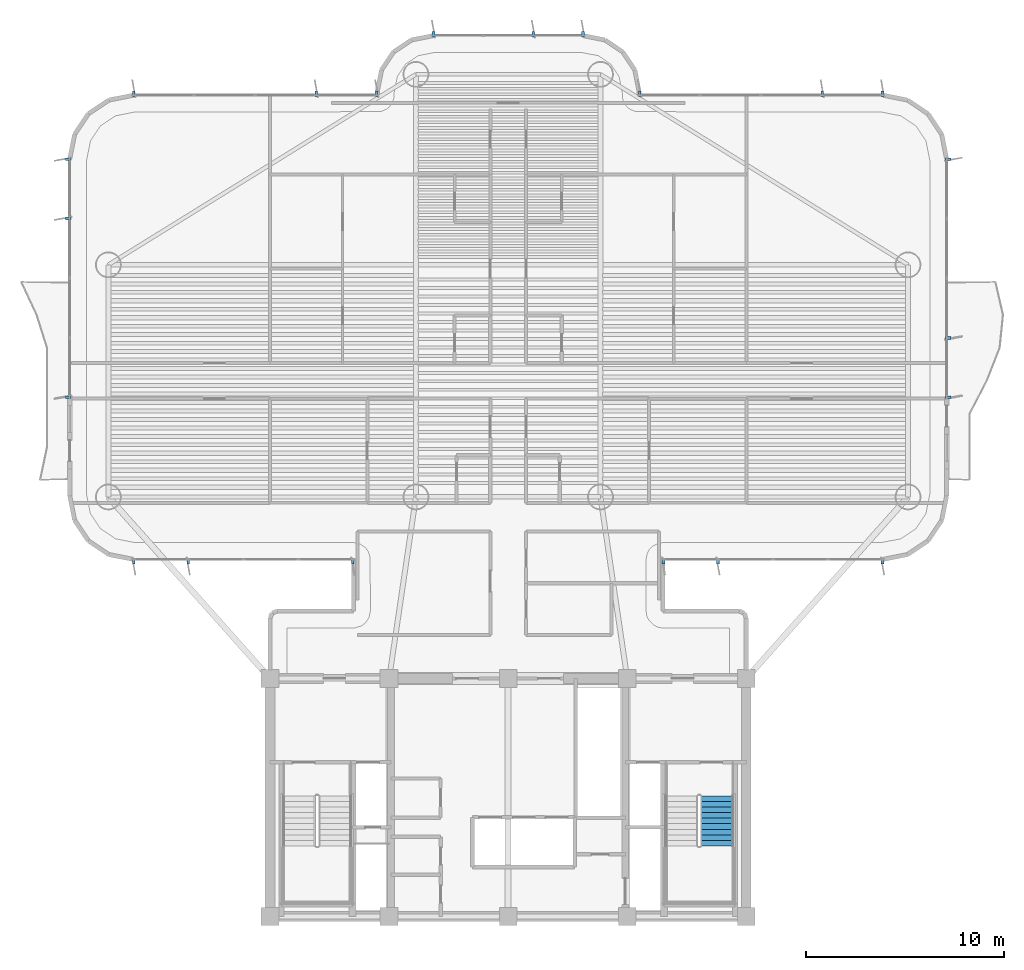
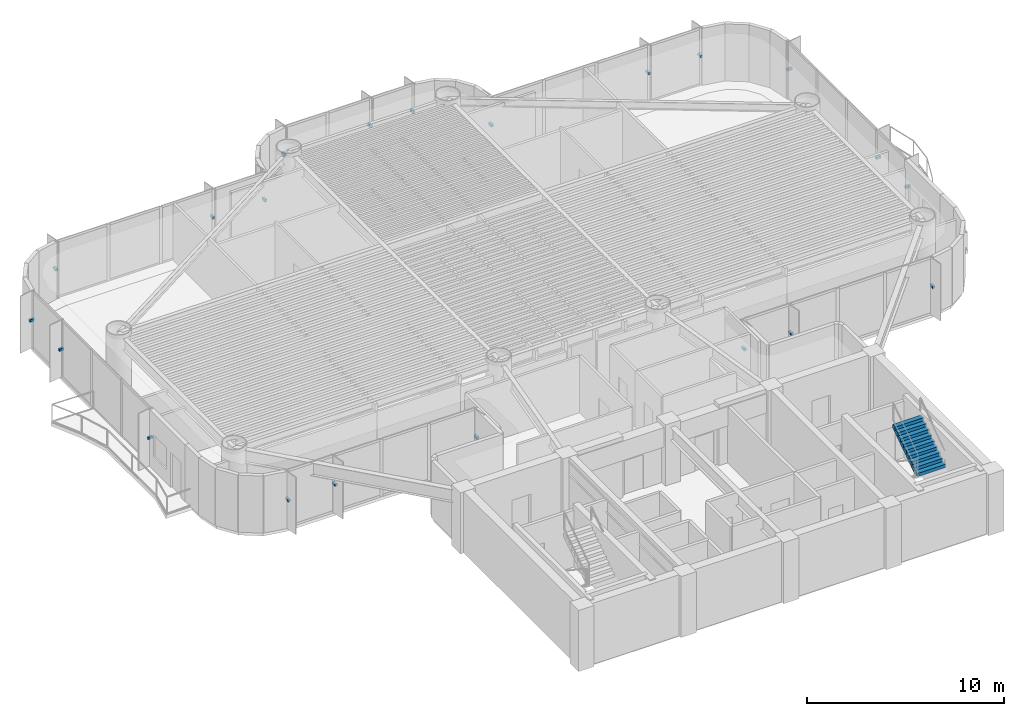
# One storey, part 13 of 17: 21 discrete accessories, 1 stair flight, 1 element without a shape of its own.
"""IFC4 building model written with IfcOpenShell, lengths in metres."""

from ifc_helpers import new_model, si_unit, direction, frame, origin, origin_2d, place, context, subcontext, project, spatial, polyline, rectangle, outline, extrude, source, transform, mapped, material, type_object, element, aggregate, save


model = new_model("IFC4")

# Units and contexts
model_context = context("Model", 3, precision=1e-05, world=origin(), true_north=direction((0.0, 1.0)))
body_context = subcontext(model_context, "Body", "Model", "MODEL_VIEW")
ifc_project = project(units=[si_unit("LENGTHUNIT", "METRE"), si_unit("AREAUNIT", "SQUARE_METRE"), si_unit("VOLUMEUNIT", "CUBIC_METRE"), si_unit("PLANEANGLEUNIT", "RADIAN"), si_unit("MASSUNIT", "GRAM", prefix="KILO")], contexts=[model_context])

# Site, building, storey
site_placement = place(None, origin())
site = spatial("IfcSite", under=ifc_project, at=site_placement, CompositionType="ELEMENT")
building_placement = place(site_placement, origin())
building = spatial("IfcBuilding", under=site, at=building_placement, Name="Brelvock Crest Care Tower", CompositionType="ELEMENT")
storey_placement = place(building_placement, frame((0.0, 0.0, 97.3798828125)))
storey = spatial("IfcBuildingStorey", under=building, at=storey_placement, Name="L24", CompositionType="ELEMENT", Elevation=97.3798828125)

# Stair, stair flight
ifc_material_1 = material(Name="Concrete N40 (40 MPa)", Category="concrete")
stair_type = type_object("IfcStairType", Name="ST-CORE1", PredefinedType="HALF_TURN_STAIR", material=ifc_material_1)
stair_placement = place(storey_placement, origin())
stair = element("IfcStair", 1, at=stair_placement, inside=storey, type_object=stair_type, Name="L24 Fire-Isolated Core Stair ST-2", PredefinedType="HALF_TURN_STAIR")
stair_flight_type = type_object("IfcStairFlightType", Name="STF-1", PredefinedType="STRAIGHT", material=ifc_material_1)
stair_flight_placement = place(storey_placement, frame((46.530029296875, 9.56005859375, 1.89013671875), z_axis=(0.0, 0.0, 1.0), x_axis=(0.0, 1.0, 0.0)))
stair_flight = element("IfcStairFlight", 2, at=stair_flight_placement, type_object=stair_flight_type, Name="ST-2 flight 2", NumberOfRisers=10, NumberOfTreads=9, PredefinedType="STRAIGHT", RiserHeight=0.189, TreadLength=0.28, context=body_context, shape_type="SweptSolid", body=[
    extrude(outline(polyline([(-0.00390625, -0.014892578125), (-0.00390625, -0.0078125), (-0.00390625, -0.00048828125), (-0.00390625, 0.0068359375), (-0.00390625, 0.01416015625), (-0.00390625, 0.021484375), (-0.00390625, 0.02880859375), (-0.00390625, 0.035888671875), (-0.00390625, 0.043212890625), (-0.00390625, 0.050537109375), (-0.00390625, 0.057861328125), (-0.00390625, 0.065185546875), (-0.00390625, 0.072509765625), (-0.00390625, 0.07958984375), (-0.00390625, 0.0869140625), (-0.00390625, 0.09423828125), (-0.00390625, 0.1015625), (-0.00390625, 0.10888671875), (-0.00390625, 0.1162109375), (-0.00390625, 0.12353515625), (-0.00390625, 0.130615234375), (-0.00390625, 0.137939453125), (-0.00390625, 0.145263671875), (-0.00390625, 0.152587890625), (-0.00390625, 0.159912109375), (-0.00390625, 0.167236328125), (-0.00390625, 0.17431640625), (-0.00390625, 0.181640625), (-0.00390625, 0.18896484375), (0.0, 0.18896484375), (0.280029296875, 0.18896484375), (0.280029296875, 0.3779296875), (0.56005859375, 0.3779296875), (0.56005859375, 0.56689453125), (0.840087890625, 0.56689453125), (0.840087890625, 0.756103515625), (1.1201171875, 0.756103515625), (1.1201171875, 0.945068359375), (1.39990234375, 0.945068359375), (1.39990234375, 1.134033203125), (1.679931640625, 1.134033203125), (1.679931640625, 1.322998046875), (1.9599609375, 1.322998046875), (1.9599609375, 1.511962890625), (2.239990234375, 1.511962890625), (2.239990234375, 1.700927734375), (2.52001953125, 1.700927734375), (2.52392578125, 1.700927734375), (2.523681640625, 1.70068359375), (2.52392578125, 1.700439453125), (2.523681640625, 1.699951171875), (2.52392578125, 1.69970703125), (2.523681640625, 1.699462890625), (2.52392578125, 1.698974609375), (2.523681640625, 1.69873046875), (2.52392578125, 1.698486328125), (2.523681640625, 1.697998046875), (2.52392578125, 1.69775390625), (2.523681640625, 1.697509765625), (2.52392578125, 1.697021484375), (2.523681640625, 1.69677734375), (2.52392578125, 1.696533203125), (2.523681640625, 1.6962890625), (2.52392578125, 1.69580078125), (2.523681640625, 1.695556640625), (2.52392578125, 1.6953125), (2.523681640625, 1.69482421875), (2.52392578125, 1.694580078125), (2.523681640625, 1.6943359375), (2.52392578125, 1.69384765625), (2.523681640625, 1.693603515625), (2.52392578125, 1.693359375), (2.523681640625, 1.69287109375), (2.52392578125, 1.692626953125), (2.523681640625, 1.6923828125), (2.52392578125, 1.69189453125), (2.52001953125, 1.520263671875), (0.267822265625, 0.0), (0.0, 0.0), (0.0, -0.014892578125), (-0.00390625, -0.014892578125)])), frame((0.0, 0.83984375, 0.0), z_axis=(0.0, -1.0, 0.0), x_axis=(1.0, 0.0, 0.0)), (0.0, 0.0, 1.0), 1.679931640625),
])
aggregate(stair, [stair_flight])

# Discrete accessories
ifc_material_2 = material(Name="Steel Grade 350", Category="steel")
discrete_accessory_type = type_object("IfcDiscreteAccessoryType", Name="ACC-BRK1", PredefinedType="BRACKET", material=ifc_material_2)
shared_shape = source(origin(), body_context, "Body", "SweptSolid", [
    extrude(rectangle(XDim=0.280029296875, YDim=0.139892578125, at=origin_2d()), origin(), (0.0, 0.0, 1.0), 0.139892578125),
])
for number, where, z_axis, x_axis, name in (
    (3, (28.169921875, 23.919921875, 1.6953125), (0.0, 0.0, 1.0), (0.0, -1.0, 0.0), "L24 Facade Fin Bracket E12-01"),
    (4, (19.875, 23.919921875, 1.6953125), (0.0, 0.0, 1.0), (0.0, -1.0, 0.0), "L24 Facade Fin Bracket E12-04"),
    (5, (17.1298828125, 23.919921875, 1.6953125), (0.0, 0.0, 1.0), (0.0, -1.0, 0.0), "L24 Facade Fin Bracket E12-05"),
    (6, (13.820068359375, 32.179931640625, 1.6953125), (0.0, 0.0, 1.0), (-1.0, 0.0, 0.0), "L24 Facade Fin Bracket E17B-01"),
    (7, (13.820068359375, 41.1875, 1.6953125), (0.0, 0.0, 1.0), (-1.0, 0.0, 0.0), "L24 Facade Fin Bracket E17B-04"),
    (8, (13.820068359375, 44.169921875, 1.6953125), (0.0, 0.0, 1.0), (-1.0, 0.0, 0.0), "L24 Facade Fin Bracket E17B-05"),
    (9, (17.1298828125, 47.47998046875, 1.6953125), (0.0, 0.0, 1.0), (0.0, 1.0, 0.0), "L24 Facade Fin Bracket E22-01"),
    (10, (26.324951171875, 47.47998046875, 1.6953125), (0.0, 0.0, 1.0), (0.0, 1.0, 0.0), "L24 Facade Fin Bracket E22-04"),
    (11, (29.3701171875, 47.47998046875, 1.6953125), (0.0, 0.0, 1.0), (0.0, 1.0, 0.0), "L24 Facade Fin Bracket E22-05"),
    (12, (32.22998046875, 50.47998046875, 1.6953125), (0.0, 0.0, 1.0), (0.0, 1.0, 0.0), "L24 Facade Fin Bracket E28-01"),
    (13, (37.2666015625, 50.47998046875, 1.6953125), (0.0, 0.0, 1.0), (0.0, 1.0, 0.0), "L24 Facade Fin Bracket E28-03"),
    (14, (39.77001953125, 50.47998046875, 1.6953125), (0.0, 0.0, 1.0), (0.0, 1.0, 0.0), "L24 Facade Fin Bracket E28-04"),
    (15, (42.6298828125, 47.47998046875, 1.6953125), (0.0, 0.0, 1.0), (0.0, 1.0, 0.0), "L24 Facade Fin Bracket E34-01"),
    (16, (51.824951171875, 47.47998046875, 1.6953125), (0.0, 0.0, 1.0), (0.0, 1.0, 0.0), "L24 Facade Fin Bracket E34-04"),
    (17, (54.8701171875, 47.47998046875, 1.6953125), (0.0, 0.0, 1.0), (0.0, 1.0, 0.0), "L24 Facade Fin Bracket E34-05"),
    (18, (58.179931640625, 44.169921875, 1.6953125), (0.0, 0.0, 1.0), (1.0, 0.0, 0.0), "L24 Facade Fin Bracket E39A-01"),
    (19, (58.179931640625, 35.16259765625, 1.6953125), (0.0, 0.0, 1.0), (1.0, 0.0, 0.0), "L24 Facade Fin Bracket E39A-04"),
    (20, (58.179931640625, 32.179931640625, 1.6953125), (0.0, 0.0, 1.0), (1.0, 0.0, 0.0), "L24 Facade Fin Bracket E39A-05"),
    (21, (54.8701171875, 23.919921875, 1.6953125), (0.0, 0.0, 1.0), (0.0, -1.0, 0.0), "L24 Facade Fin Bracket E44-01"),
    (22, (46.574951171875, 23.919921875, 1.6953125), (0.0, 0.0, 1.0), (0.0, -1.0, 0.0), "L24 Facade Fin Bracket E44-04"),
    (23, (43.830078125, 23.919921875, 1.6953125), (0.0, 0.0, 1.0), (0.0, -1.0, 0.0), "L24 Facade Fin Bracket E44-05"),
):
    element("IfcDiscreteAccessory", number, at=place(storey_placement, frame(where, z_axis=z_axis, x_axis=x_axis)), inside=storey, type_object=discrete_accessory_type, Name=name, PredefinedType="BRACKET", context=body_context, shape_type="MappedRepresentation", body=[
        mapped(shared_shape, transform((0.0, 0.0, 0.0), x_axis=(1.0, 0.0, 0.0), y_axis=(0.0, 1.0, 0.0), z_axis=(0.0, 0.0, 1.0), scale=1.0)),
    ])

save(model, "model.ifc")
